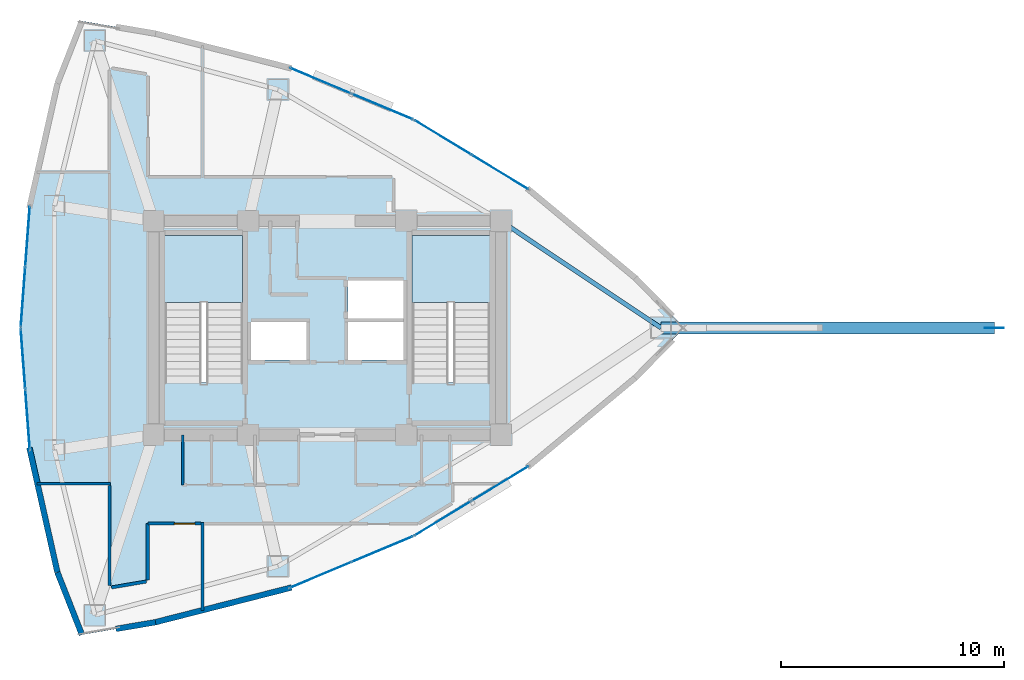
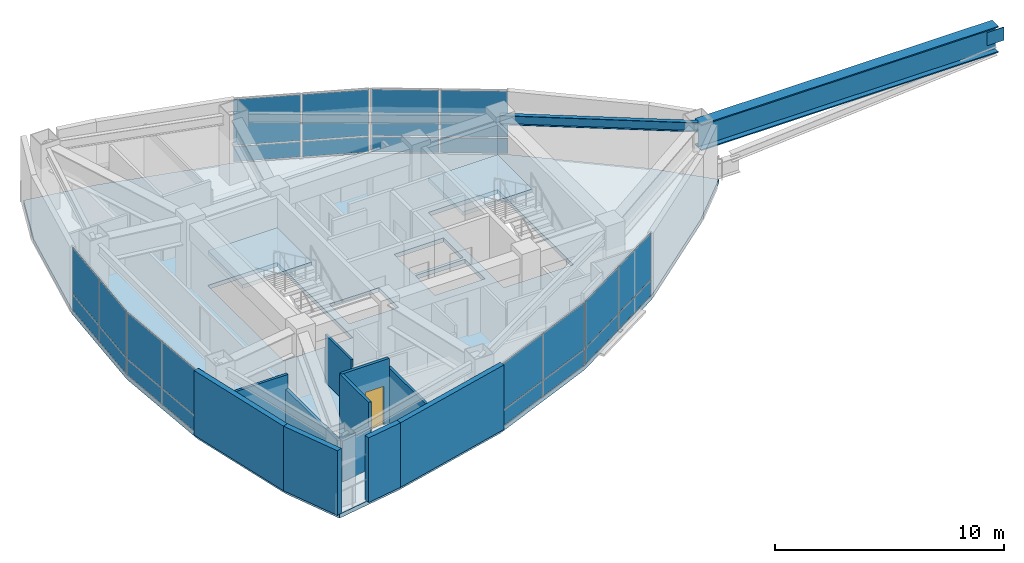
# One storey, part 11 of 15: 25 plates, 11 walls, 3 slabs, 2 beams, 1 door, 1 opening, 8 elements without a shape of their own.
"""IFC4 building model written with IfcOpenShell, lengths in metres."""

from ifc_helpers import new_model, si_unit, direction, frame, frame_2d, origin, origin_2d, place, context, subcontext, project, spatial, polyline, rectangle, i_section, outline, extrude, material, layer, layer_set, material_profile, profile_set, type_object, element, fill, aggregate, save


model = new_model("IFC4")

# Units and contexts
model_context = context("Model", 3, precision=1e-05, world=origin(), true_north=direction((0.0, 1.0)))
body_context = subcontext(model_context, "Body", "Model", "MODEL_VIEW")
ifc_project = project(units=[si_unit("LENGTHUNIT", "METRE"), si_unit("AREAUNIT", "SQUARE_METRE"), si_unit("VOLUMEUNIT", "CUBIC_METRE"), si_unit("PLANEANGLEUNIT", "RADIAN"), si_unit("MASSUNIT", "GRAM", prefix="KILO")], contexts=[model_context])

# Site, building, storey
site_placement = place(None, origin())
site = spatial("IfcSite", under=ifc_project, at=site_placement, CompositionType="ELEMENT")
building_placement = place(site_placement, origin())
building = spatial("IfcBuilding", under=site, at=building_placement, Name="Menara Vayukalpa", CompositionType="ELEMENT")
storey_placement = place(building_placement, frame((0.0, 0.0, 230.699951171875)))
storey = spatial("IfcBuildingStorey", under=building, at=storey_placement, Name="L58", CompositionType="ELEMENT", Elevation=230.699951171875)

# Beams
ifc_material_1 = material(Name="Steel S355", Category="steel")
ifc_material_profile_1 = material_profile(ifc_material_1, i_section(OverallWidth=0.199951171875, OverallDepth=0.5, WebThickness=0.010009765625, FlangeThickness=0.01611328125, at=origin_2d()), Name="WF 500x200x10x16")
ifc_profile_set_1 = profile_set([ifc_material_profile_1], Name="Steel S355")
beam_type_1 = type_object("IfcBeamType", Name="BM-SP3", PredefinedType="SPANDREL", material=ifc_profile_set_1)
beam_1_placement = place(storey_placement, frame((40.590576171875, 22.0, 3.18994140625), z_axis=(-0.831715622571, 0.555201876052, 0.0), x_axis=(-0.555201876052, -0.831715622571, 0.0)))
element("IfcBeam", 1, at=beam_1_placement, inside=storey, type_object=beam_type_1, Name="L58 Perimeter Spandrel Beam SP01", PredefinedType="SPANDREL", context=body_context, shape_type="SweptSolid", body=[
    extrude(i_section(OverallWidth=0.199951171875, OverallDepth=0.5, WebThickness=0.010009765625, FlangeThickness=0.01611328125, at=origin_2d()), origin(), (0.0, 0.0, 1.0), 8.6455078125),
])
ifc_material_2 = material(Name="Steel S460", Category="steel")
ifc_material_profile_2 = material_profile(ifc_material_2, i_section(OverallWidth=0.550048828125, OverallDepth=1.39990234375, WebThickness=0.031982421875, FlangeThickness=0.06005859375, at=origin_2d()), Name="WG 1400x550x32x60")
ifc_profile_set_2 = profile_set([ifc_material_profile_2], Name="Steel S460")
beam_type_2 = type_object("IfcBeamType", Name="BM-TG1E", PredefinedType="BEAM", material=ifc_profile_set_2)
beam_2_placement = place(storey_placement, frame((40.590576171875, 22.0, 2.739990234375), z_axis=(1.0, 0.0, 0.0), x_axis=(0.0, 1.0, 0.0)))
element("IfcBeam", 2, at=beam_2_placement, inside=storey, type_object=beam_type_2, Name="L58 SB5 Cantilever Support Transfer Girder 01", PredefinedType="BEAM", context=body_context, shape_type="SweptSolid", body=[
    extrude(i_section(OverallWidth=0.550048828125, OverallDepth=1.39990234375, WebThickness=0.031982421875, FlangeThickness=0.06005859375, at=origin_2d()), origin(), (0.0, 0.0, 1.0), 14.97412109375),
])

# Curtain wall, plates
ifc_material_3 = material(Name="Anodised Terracotta Aluminium Alloy 6063-T6", Category="masonry")
ifc_layer_1 = layer(ifc_material_3, 0.139892578125)
ifc_layer_set_1 = layer_set([ifc_layer_1], Name="Anodised Terracotta Aluminium Alloy 6063-T6")
curtain_wall_type = type_object("IfcCurtainWallType", Name="CW-CW5", PredefinedType="USERDEFINED", material=ifc_layer_set_1)
curtain_wall_1_placement = place(storey_placement, origin())
curtain_wall_1 = element("IfcCurtainWall", 3, at=curtain_wall_1_placement, inside=storey, type_object=curtain_wall_type, Name="L58 High Rise Tapered Curtain Wall CW5 04", ObjectType="UNITISED", PredefinedType="USERDEFINED")
ifc_material_4 = material(Name="Low-E Double Glazing", Category="glass")
ifc_layer_2 = layer(ifc_material_4, 0.028076171875)
ifc_layer_set_2 = layer_set([ifc_layer_2], Name="Low-E Double Glazing")
plate_type_1 = type_object("IfcPlateType", Name="CWP-CW5", PredefinedType="CURTAIN_PANEL", material=ifc_layer_set_2)
plate_1_placement = place(storey_placement, frame((33.358642578125, 28.994384765625, 0.06005859375), z_axis=(0.0, 0.0, 1.0), x_axis=(-0.854664974832, 0.519179911779, 0.0)))
plate_1 = element("IfcPlate", 4, at=plate_1_placement, type_object=plate_type_1, Name="CW5 panel 1.1", PredefinedType="CURTAIN_PANEL", context=body_context, shape_type="SweptSolid", body=[
    extrude(rectangle(XDim=2.9423828125, YDim=0.028076171875, at=origin_2d()), origin(), (0.0, 0.0, 1.0), 0.81005859375),
])
plate_2_placement = place(storey_placement, frame((33.358642578125, 28.994384765625, 0.93017578125), z_axis=(0.0, 0.0, 1.0), x_axis=(-0.854664974832, 0.519179911779, 0.0)))
plate_2 = element("IfcPlate", 5, at=plate_2_placement, type_object=plate_type_1, Name="CW5 panel 1.2", PredefinedType="CURTAIN_PANEL", context=body_context, shape_type="SweptSolid", body=[
    extrude(rectangle(XDim=2.9423828125, YDim=0.028076171875, at=origin_2d()), origin(), (0.0, 0.0, 1.0), 2.449951171875),
])
plate_3_placement = place(storey_placement, frame((30.79248046875, 30.55322265625, 0.06005859375), z_axis=(0.0, 0.0, 1.0), x_axis=(-0.854664974832, 0.519179911779, 0.0)))
plate_3 = element("IfcPlate", 6, at=plate_3_placement, type_object=plate_type_1, Name="CW5 panel 2.1", PredefinedType="CURTAIN_PANEL", context=body_context, shape_type="SweptSolid", body=[
    extrude(rectangle(XDim=2.9423828125, YDim=0.028076171875, at=origin_2d()), origin(), (0.0, 0.0, 1.0), 0.81005859375),
])
plate_4_placement = place(storey_placement, frame((30.79248046875, 30.55322265625, 0.93017578125), z_axis=(0.0, 0.0, 1.0), x_axis=(-0.854664974832, 0.519179911779, 0.0)))
plate_4 = element("IfcPlate", 7, at=plate_4_placement, type_object=plate_type_1, Name="CW5 panel 2.2", PredefinedType="CURTAIN_PANEL", context=body_context, shape_type="SweptSolid", body=[
    extrude(rectangle(XDim=2.9423828125, YDim=0.028076171875, at=origin_2d()), origin(), (0.0, 0.0, 1.0), 2.449951171875),
])
aggregate(curtain_wall_1, [plate_1, plate_2, plate_3, plate_4])

curtain_wall_2_placement = place(storey_placement, origin())
curtain_wall_2 = element("IfcCurtainWall", 8, at=curtain_wall_2_placement, inside=storey, type_object=curtain_wall_type, Name="L58 High Rise Tapered Curtain Wall CW5 05", ObjectType="UNITISED", PredefinedType="USERDEFINED")
plate_5_placement = place(storey_placement, frame((28.071044921875, 31.93896484375, 0.06005859375), z_axis=(0.0, 0.0, 1.0), x_axis=(-0.922539431351, 0.385902834406, 0.0)))
plate_5 = element("IfcPlate", 9, at=plate_5_placement, type_object=plate_type_1, Name="CW5 panel 1.1", PredefinedType="CURTAIN_PANEL", context=body_context, shape_type="SweptSolid", body=[
    extrude(rectangle(XDim=2.9423828125, YDim=0.028076171875, at=origin_2d()), origin(), (0.0, 0.0, 1.0), 0.81005859375),
])
plate_6_placement = place(storey_placement, frame((28.071044921875, 31.93896484375, 0.93017578125), z_axis=(0.0, 0.0, 1.0), x_axis=(-0.922539431351, 0.385902834406, 0.0)))
plate_6 = element("IfcPlate", 10, at=plate_6_placement, type_object=plate_type_1, Name="CW5 panel 1.2", PredefinedType="CURTAIN_PANEL", context=body_context, shape_type="SweptSolid", body=[
    extrude(rectangle(XDim=2.9423828125, YDim=0.028076171875, at=origin_2d()), origin(), (0.0, 0.0, 1.0), 2.449951171875),
])
plate_7_placement = place(storey_placement, frame((25.30126953125, 33.09765625, 0.06005859375), z_axis=(0.0, 0.0, 1.0), x_axis=(-0.922539431351, 0.385902834406, 0.0)))
plate_7 = element("IfcPlate", 11, at=plate_7_placement, type_object=plate_type_1, Name="CW5 panel 2.1", PredefinedType="CURTAIN_PANEL", context=body_context, shape_type="SweptSolid", body=[
    extrude(rectangle(XDim=2.9423828125, YDim=0.028076171875, at=origin_2d()), origin(), (0.0, 0.0, 1.0), 0.81005859375),
])
plate_8_placement = place(storey_placement, frame((25.30126953125, 33.09765625, 0.93017578125), z_axis=(0.0, 0.0, 1.0), x_axis=(-0.922539431351, 0.385902834406, 0.0)))
plate_8 = element("IfcPlate", 12, at=plate_8_placement, type_object=plate_type_1, Name="CW5 panel 2.2", PredefinedType="CURTAIN_PANEL", context=body_context, shape_type="SweptSolid", body=[
    extrude(rectangle(XDim=2.9423828125, YDim=0.028076171875, at=origin_2d()), origin(), (0.0, 0.0, 1.0), 2.449951171875),
])
aggregate(curtain_wall_2, [plate_5, plate_6, plate_7, plate_8])

curtain_wall_3_placement = place(storey_placement, origin())
curtain_wall_3 = element("IfcCurtainWall", 13, at=curtain_wall_3_placement, inside=storey, type_object=curtain_wall_type, Name="L58 High Rise Tapered Curtain Wall CW5 10", ObjectType="UNITISED", PredefinedType="USERDEFINED")
plate_9_placement = place(storey_placement, frame((12.139892578125, 26.10205078125, 0.06005859375), z_axis=(0.0, 0.0, 1.0), x_axis=(-0.074791754736, -0.9971991744, 0.0)))
plate_9 = element("IfcPlate", 14, at=plate_9_placement, type_object=plate_type_1, Name="CW5 panel 1.1", PredefinedType="CURTAIN_PANEL", context=body_context, shape_type="SweptSolid", body=[
    extrude(rectangle(XDim=2.662353515625, YDim=0.028076171875, at=origin_2d()), origin(), (0.0, 0.0, 1.0), 0.81005859375),
])
plate_10_placement = place(storey_placement, frame((12.139892578125, 26.10205078125, 0.93017578125), z_axis=(0.0, 0.0, 1.0), x_axis=(-0.074791754736, -0.9971991744, 0.0)))
plate_10 = element("IfcPlate", 15, at=plate_10_placement, type_object=plate_type_1, Name="CW5 panel 1.2", PredefinedType="CURTAIN_PANEL", context=body_context, shape_type="SweptSolid", body=[
    extrude(rectangle(XDim=2.662353515625, YDim=0.028076171875, at=origin_2d()), origin(), (0.0, 0.0, 1.0), 2.449951171875),
])
plate_11_placement = place(storey_placement, frame((11.936279296875, 23.38720703125, 0.06005859375), z_axis=(0.0, 0.0, 1.0), x_axis=(-0.074791754736, -0.9971991744, 0.0)))
plate_11 = element("IfcPlate", 16, at=plate_11_placement, type_object=plate_type_1, Name="CW5 panel 2.1", PredefinedType="CURTAIN_PANEL", context=body_context, shape_type="SweptSolid", body=[
    extrude(rectangle(XDim=2.662353515625, YDim=0.028076171875, at=origin_2d()), origin(), (0.0, 0.0, 1.0), 0.81005859375),
])
plate_12_placement = place(storey_placement, frame((11.936279296875, 23.38720703125, 0.93017578125), z_axis=(0.0, 0.0, 1.0), x_axis=(-0.074791754736, -0.9971991744, 0.0)))
plate_12 = element("IfcPlate", 17, at=plate_12_placement, type_object=plate_type_1, Name="CW5 panel 2.2", PredefinedType="CURTAIN_PANEL", context=body_context, shape_type="SweptSolid", body=[
    extrude(rectangle(XDim=2.662353515625, YDim=0.028076171875, at=origin_2d()), origin(), (0.0, 0.0, 1.0), 2.449951171875),
])
aggregate(curtain_wall_3, [plate_9, plate_10, plate_11, plate_12])

curtain_wall_4_placement = place(storey_placement, origin())
curtain_wall_4 = element("IfcCurtainWall", 18, at=curtain_wall_4_placement, inside=storey, type_object=curtain_wall_type, Name="L58 High Rise Tapered Curtain Wall CW5 11", ObjectType="UNITISED", PredefinedType="USERDEFINED")
plate_13_placement = place(storey_placement, frame((11.936279296875, 20.61279296875, 0.06005859375), z_axis=(0.0, 0.0, 1.0), x_axis=(0.074791754736, -0.9971991744, 0.0)))
plate_13 = element("IfcPlate", 19, at=plate_13_placement, type_object=plate_type_1, Name="CW5 panel 1.1", PredefinedType="CURTAIN_PANEL", context=body_context, shape_type="SweptSolid", body=[
    extrude(rectangle(XDim=2.662353515625, YDim=0.028076171875, at=origin_2d()), origin(), (0.0, 0.0, 1.0), 0.81005859375),
])
plate_14_placement = place(storey_placement, frame((11.936279296875, 20.61279296875, 0.93017578125), z_axis=(0.0, 0.0, 1.0), x_axis=(0.074791754736, -0.9971991744, 0.0)))
plate_14 = element("IfcPlate", 20, at=plate_14_placement, type_object=plate_type_1, Name="CW5 panel 1.2", PredefinedType="CURTAIN_PANEL", context=body_context, shape_type="SweptSolid", body=[
    extrude(rectangle(XDim=2.662353515625, YDim=0.028076171875, at=origin_2d()), origin(), (0.0, 0.0, 1.0), 2.449951171875),
])
plate_15_placement = place(storey_placement, frame((12.139892578125, 17.89794921875, 0.06005859375), z_axis=(0.0, 0.0, 1.0), x_axis=(0.074791754736, -0.9971991744, 0.0)))
plate_15 = element("IfcPlate", 21, at=plate_15_placement, type_object=plate_type_1, Name="CW5 panel 2.1", PredefinedType="CURTAIN_PANEL", context=body_context, shape_type="SweptSolid", body=[
    extrude(rectangle(XDim=2.662353515625, YDim=0.028076171875, at=origin_2d()), origin(), (0.0, 0.0, 1.0), 0.81005859375),
])
plate_16_placement = place(storey_placement, frame((12.139892578125, 17.89794921875, 0.93017578125), z_axis=(0.0, 0.0, 1.0), x_axis=(0.074791754736, -0.9971991744, 0.0)))
plate_16 = element("IfcPlate", 22, at=plate_16_placement, type_object=plate_type_1, Name="CW5 panel 2.2", PredefinedType="CURTAIN_PANEL", context=body_context, shape_type="SweptSolid", body=[
    extrude(rectangle(XDim=2.662353515625, YDim=0.028076171875, at=origin_2d()), origin(), (0.0, 0.0, 1.0), 2.449951171875),
])
aggregate(curtain_wall_4, [plate_13, plate_14, plate_15, plate_16])

curtain_wall_5_placement = place(storey_placement, origin())
curtain_wall_5 = element("IfcCurtainWall", 23, at=curtain_wall_5_placement, inside=storey, type_object=curtain_wall_type, Name="L58 High Rise Tapered Curtain Wall CW5 16", ObjectType="UNITISED", PredefinedType="USERDEFINED")
plate_17_placement = place(storey_placement, frame((25.30126953125, 10.90234375, 0.06005859375), z_axis=(0.0, 0.0, 1.0), x_axis=(0.922539431351, 0.385902834406, 0.0)))
plate_17 = element("IfcPlate", 24, at=plate_17_placement, type_object=plate_type_1, Name="CW5 panel 1.1", PredefinedType="CURTAIN_PANEL", context=body_context, shape_type="SweptSolid", body=[
    extrude(rectangle(XDim=2.9423828125, YDim=0.028076171875, at=origin_2d()), origin(), (0.0, 0.0, 1.0), 0.81005859375),
])
plate_18_placement = place(storey_placement, frame((25.30126953125, 10.90234375, 0.93017578125), z_axis=(0.0, 0.0, 1.0), x_axis=(0.922539431351, 0.385902834406, 0.0)))
plate_18 = element("IfcPlate", 25, at=plate_18_placement, type_object=plate_type_1, Name="CW5 panel 1.2", PredefinedType="CURTAIN_PANEL", context=body_context, shape_type="SweptSolid", body=[
    extrude(rectangle(XDim=2.9423828125, YDim=0.028076171875, at=origin_2d()), origin(), (0.0, 0.0, 1.0), 2.449951171875),
])
plate_19_placement = place(storey_placement, frame((28.071044921875, 12.06103515625, 0.06005859375), z_axis=(0.0, 0.0, 1.0), x_axis=(0.922539431351, 0.385902834406, 0.0)))
plate_19 = element("IfcPlate", 26, at=plate_19_placement, type_object=plate_type_1, Name="CW5 panel 2.1", PredefinedType="CURTAIN_PANEL", context=body_context, shape_type="SweptSolid", body=[
    extrude(rectangle(XDim=2.9423828125, YDim=0.028076171875, at=origin_2d()), origin(), (0.0, 0.0, 1.0), 0.81005859375),
])
plate_20_placement = place(storey_placement, frame((28.071044921875, 12.06103515625, 0.93017578125), z_axis=(0.0, 0.0, 1.0), x_axis=(0.922539431351, 0.385902834406, 0.0)))
plate_20 = element("IfcPlate", 27, at=plate_20_placement, type_object=plate_type_1, Name="CW5 panel 2.2", PredefinedType="CURTAIN_PANEL", context=body_context, shape_type="SweptSolid", body=[
    extrude(rectangle(XDim=2.9423828125, YDim=0.028076171875, at=origin_2d()), origin(), (0.0, 0.0, 1.0), 2.449951171875),
])
aggregate(curtain_wall_5, [plate_17, plate_18, plate_19, plate_20])

curtain_wall_6_placement = place(storey_placement, origin())
curtain_wall_6 = element("IfcCurtainWall", 28, at=curtain_wall_6_placement, inside=storey, type_object=curtain_wall_type, Name="L58 High Rise Tapered Curtain Wall CW5 17", ObjectType="UNITISED", PredefinedType="USERDEFINED")
plate_21_placement = place(storey_placement, frame((30.79248046875, 13.44677734375, 0.06005859375), z_axis=(0.0, 0.0, 1.0), x_axis=(0.854664974832, 0.519179911779, 0.0)))
plate_21 = element("IfcPlate", 29, at=plate_21_placement, type_object=plate_type_1, Name="CW5 panel 1.1", PredefinedType="CURTAIN_PANEL", context=body_context, shape_type="SweptSolid", body=[
    extrude(rectangle(XDim=2.9423828125, YDim=0.028076171875, at=origin_2d()), origin(), (0.0, 0.0, 1.0), 0.81005859375),
])
plate_22_placement = place(storey_placement, frame((30.79248046875, 13.44677734375, 0.93017578125), z_axis=(0.0, 0.0, 1.0), x_axis=(0.854664974832, 0.519179911779, 0.0)))
plate_22 = element("IfcPlate", 30, at=plate_22_placement, type_object=plate_type_1, Name="CW5 panel 1.2", PredefinedType="CURTAIN_PANEL", context=body_context, shape_type="SweptSolid", body=[
    extrude(rectangle(XDim=2.9423828125, YDim=0.028076171875, at=origin_2d()), origin(), (0.0, 0.0, 1.0), 2.449951171875),
])
plate_23_placement = place(storey_placement, frame((33.358642578125, 15.005615234375, 0.06005859375), z_axis=(0.0, 0.0, 1.0), x_axis=(0.854664974832, 0.519179911779, 0.0)))
plate_23 = element("IfcPlate", 31, at=plate_23_placement, type_object=plate_type_1, Name="CW5 panel 2.1", PredefinedType="CURTAIN_PANEL", context=body_context, shape_type="SweptSolid", body=[
    extrude(rectangle(XDim=2.9423828125, YDim=0.028076171875, at=origin_2d()), origin(), (0.0, 0.0, 1.0), 0.81005859375),
])
plate_24_placement = place(storey_placement, frame((33.358642578125, 15.005615234375, 0.93017578125), z_axis=(0.0, 0.0, 1.0), x_axis=(0.854664974832, 0.519179911779, 0.0)))
plate_24 = element("IfcPlate", 32, at=plate_24_placement, type_object=plate_type_1, Name="CW5 panel 2.2", PredefinedType="CURTAIN_PANEL", context=body_context, shape_type="SweptSolid", body=[
    extrude(rectangle(XDim=2.9423828125, YDim=0.028076171875, at=origin_2d()), origin(), (0.0, 0.0, 1.0), 2.449951171875),
])
aggregate(curtain_wall_6, [plate_21, plate_22, plate_23, plate_24])

# Plate
ifc_material_5 = material(Name="Steel S355", Category="steel")
ifc_layer_3 = layer(ifc_material_5, 0.031982421875)
ifc_layer_set_3 = layer_set([ifc_layer_3], Name="Steel S355")
plate_type_2 = type_object("IfcPlateType", Name="PLT-SBN1", PredefinedType="USERDEFINED", material=ifc_layer_set_3)
plate_25_placement = place(storey_placement, frame((55.564697265625, 22.0, 2.39013671875), z_axis=(0.0, 0.0, 1.0), x_axis=(1.0, 0.0, 0.0)))
element("IfcPlate", 33, at=plate_25_placement, inside=storey, type_object=plate_type_2, Name="L58 SB5 Support Node Gusset Plate 01", ObjectType="GUSSET_PLATE", PredefinedType="USERDEFINED", context=body_context, shape_type="SweptSolid", body=[
    extrude(rectangle(XDim=0.860107421875, YDim=0.031982421875, at=origin_2d()), origin(), (0.0, 0.0, 1.0), 0.699951171875),
])

# Slab
ifc_material_6 = material(Name="Concrete C40/50", Category="concrete")
ifc_layer_4 = layer(ifc_material_6, 0.219970703125)
ifc_layer_set_4 = layer_set([ifc_layer_4], Name="Concrete C40/50")
slab_type_1 = type_object("IfcSlabType", Name="SLB-FL220", PredefinedType="FLOOR", material=ifc_layer_set_4)
slab_1_placement = place(storey_placement, frame((0.0, 0.0, -0.219970703125)))
element("IfcSlab", 34, at=slab_1_placement, inside=storey, type_object=slab_type_1, Name="L58 Structural Floor Slab", PredefinedType="FLOOR", context=body_context, shape_type="SweptSolid", body=[
    extrude(outline(polyline([(39.439208984375, 19.7578125), (41.640380859375, 22.0), (39.439208984375, 24.2421875), (34.667236328125, 28.19921875), (29.48388671875, 31.34814453125), (23.888671875, 33.688720703125), (17.881591796875, 35.220703125), (14.579833984375, 35.781005859375), (13.47900390625, 32.978515625), (12.243896484375, 27.4892578125), (11.832275390625, 22.0), (12.243896484375, 16.5107421875), (13.47900390625, 11.021484375), (14.579833984375, 8.218994140625), (17.881591796875, 8.779296875), (23.888671875, 10.311279296875), (29.48388671875, 12.65185546875), (34.667236328125, 15.80078125), (39.439208984375, 19.7578125)]), holes=[polyline([(21.800048828125, 19.550048828125), (21.800048828125, 26.14990234375), (18.300048828125, 26.14990234375), (18.300048828125, 19.550048828125), (21.800048828125, 19.550048828125)]), polyline([(32.89990234375, 19.550048828125), (32.89990234375, 26.14990234375), (29.39990234375, 26.14990234375), (29.39990234375, 19.550048828125), (32.89990234375, 19.550048828125)]), polyline([(22.179931640625, 20.550048828125), (24.679931640625, 20.550048828125), (24.679931640625, 22.27001953125), (22.179931640625, 22.27001953125), (22.179931640625, 20.550048828125)]), polyline([(26.52001953125, 20.550048828125), (29.02001953125, 20.550048828125), (29.02001953125, 22.27001953125), (26.52001953125, 22.27001953125), (26.52001953125, 20.550048828125)]), polyline([(26.52001953125, 22.419921875), (29.02001953125, 22.419921875), (29.02001953125, 24.139892578125), (26.52001953125, 24.139892578125), (26.52001953125, 22.419921875)])]), origin(), (0.0, 0.0, 1.0), 0.219970703125),
])

# Stair, slab
ifc_material_7 = material(Name="Precast Concrete C40/50", Category="concrete")
stair_type = type_object("IfcStairType", Name="STR-T04", PredefinedType="DOUBLE_RETURN_STAIR", material=ifc_material_7)
stair_1_placement = place(storey_placement, origin())
stair_1 = element("IfcStair", 35, at=stair_1_placement, inside=storey, type_object=stair_type, Name="L58 Core Exit Stair ST-1", PredefinedType="DOUBLE_RETURN_STAIR")
ifc_material_8 = material(Name="Precast Concrete C40/50", Category="concrete")
ifc_layer_5 = layer(ifc_material_8, 0.199951171875)
ifc_layer_set_5 = layer_set([ifc_layer_5], Name="Precast Concrete C40/50")
slab_type_2 = type_object("IfcSlabType", Name="SLB-LND200", PredefinedType="LANDING", material=ifc_layer_set_5)
slab_2_placement = place(storey_placement, frame((0.0, 0.0, 1.66015625)))
slab_2 = element("IfcSlab", 36, at=slab_2_placement, type_object=slab_type_2, Name="ST-1 landing 1", PredefinedType="LANDING", context=body_context, shape_type="SweptSolid", body=[
    extrude(outline(polyline([(21.800048828125, 23.1298828125), (21.800048828125, 26.14990234375), (18.300048828125, 26.14990234375), (18.300048828125, 23.1298828125), (21.800048828125, 23.1298828125)])), origin(), (0.0, 0.0, 1.0), 0.199951171875),
])
aggregate(stair_1, [slab_2])

stair_2_placement = place(storey_placement, origin())
stair_2 = element("IfcStair", 37, at=stair_2_placement, inside=storey, type_object=stair_type, Name="L58 Core Exit Stair ST-2", PredefinedType="DOUBLE_RETURN_STAIR")
slab_3_placement = place(storey_placement, frame((0.0, 0.0, 1.66015625)))
slab_3 = element("IfcSlab", 38, at=slab_3_placement, type_object=slab_type_2, Name="ST-2 landing 1", PredefinedType="LANDING", context=body_context, shape_type="SweptSolid", body=[
    extrude(outline(polyline([(32.89990234375, 23.1298828125), (32.89990234375, 26.14990234375), (29.39990234375, 26.14990234375), (29.39990234375, 23.1298828125), (32.89990234375, 23.1298828125)])), origin(), (0.0, 0.0, 1.0), 0.199951171875),
])
aggregate(stair_2, [slab_3])

# Walls
ifc_material_9 = material(Name="Insulated Precast Concrete C40/50", Category="concrete")
ifc_layer_6 = layer(ifc_material_9, 0.260009765625)
ifc_layer_set_6 = layer_set([ifc_layer_6], Name="Insulated Precast Concrete C40/50")
wall_type_1 = type_object("IfcWallType", Name="WAL-EXT260", PredefinedType="PARTITIONING", material=ifc_layer_set_6)
wall_1_placement = place(storey_placement, frame((13.47900390625, 11.021484375, 0.0), z_axis=(0.0, 0.0, 1.0), x_axis=(-0.219475737697, 0.975617958303, 0.0)))
element("IfcWall", 39, at=wall_1_placement, inside=storey, type_object=wall_type_1, Name="L58 Perimeter Terracotta Pier Wall 12", PredefinedType="PARTITIONING", context=body_context, shape_type="SweptSolid", body=[
    extrude(rectangle(XDim=5.736572265625, YDim=0.260009765625, at=frame_2d((2.8681640625, 0.0))), origin(), (0.0, 0.0, 1.0), 3.43994140625),
])
wall_2_placement = place(storey_placement, frame((14.579833984375, 8.218994140625, 0.0), z_axis=(0.0, 0.0, 1.0), x_axis=(-0.365609724313, 0.930768246927, 0.0)))
element("IfcWall", 40, at=wall_2_placement, inside=storey, type_object=wall_type_1, Name="L58 Perimeter Terracotta Pier Wall 13", PredefinedType="PARTITIONING", context=body_context, shape_type="SweptSolid", body=[
    extrude(rectangle(XDim=3.010986328125, YDim=0.260009765625, at=frame_2d((1.50537109375, 0.0))), origin(), (0.0, 0.0, 1.0), 3.43994140625),
])
wall_3_placement = place(storey_placement, frame((17.8876953125, 8.780517578125, 0.0), z_axis=(0.0, 0.0, 1.0), x_axis=(-0.985877723898, -0.167466753484, 0.0)))
element("IfcWall", 41, at=wall_3_placement, inside=storey, type_object=wall_type_1, Name="L58 Perimeter Terracotta Pier Wall 14", PredefinedType="PARTITIONING", context=body_context, shape_type="SweptSolid", body=[
    extrude(rectangle(XDim=1.80615234375, YDim=0.260009765625, at=frame_2d((0.903076171875, 0.0))), origin(), (0.0, 0.0, 1.0), 3.43994140625),
])
wall_4_placement = place(storey_placement, frame((23.9951171875, 10.338623046875, 0.0), z_axis=(0.0, 0.0, 1.0), x_axis=(-0.968976240439, -0.247153890246, 0.0)))
element("IfcWall", 42, at=wall_4_placement, inside=storey, type_object=wall_type_1, Name="L58 Perimeter Terracotta Pier Wall 15", PredefinedType="PARTITIONING", context=body_context, shape_type="SweptSolid", body=[
    extrude(rectangle(XDim=6.31494140625, YDim=0.260009765625, at=frame_2d((3.157470703125, 0.0))), origin(), (0.0, 0.0, 1.0), 3.43994140625),
])
ifc_material_10 = material(Name="Acoustic Mineral Stud Partition", Category="masonry")
ifc_layer_7 = layer(ifc_material_10, 0.110107421875)
ifc_layer_set_7 = layer_set([ifc_layer_7], Name="Acoustic Mineral Stud Partition")
wall_type_2 = type_object("IfcWallType", Name="WAL-PT110", PredefinedType="PARTITIONING", material=ifc_layer_set_7)
wall_5_placement = place(storey_placement, frame((19.10009765625, 14.949951171875, 0.0), z_axis=(0.0, 0.0, 1.0), x_axis=(0.0, 1.0, 0.0)))
element("IfcWall", 43, at=wall_5_placement, inside=storey, type_object=wall_type_2, Name="L58 Interior Partition IW-L58-SVCD-01", PredefinedType="PARTITIONING", context=body_context, shape_type="SweptSolid", body=[
    extrude(rectangle(XDim=2.25, YDim=0.110107421875, at=frame_2d((1.125, 0.0))), origin(), (0.0, 0.0, 1.0), 2.570068359375),
])
ifc_material_11 = material(Name="Gypsum Drywall Steel Stud Assembly", Category="steel")
ifc_layer_8 = layer(ifc_material_11, 0.125)
ifc_layer_set_8 = layer_set([ifc_layer_8], Name="Gypsum Drywall Steel Stud Assembly")
wall_type_3 = type_object("IfcWallType", Name="WAL-PT125", PredefinedType="PARTITIONING", material=ifc_layer_set_8)
wall_6_placement = place(storey_placement, frame((20.0, 9.309326171875, 0.0), z_axis=(0.0, 0.0, 1.0), x_axis=(0.0, 1.0, 0.0)))
element("IfcWall", 44, at=wall_6_placement, inside=storey, type_object=wall_type_3, Name="L58 Interior Partition IW-L58-RDIV01", PredefinedType="PARTITIONING", context=body_context, shape_type="SweptSolid", body=[
    extrude(rectangle(XDim=3.95068359375, YDim=0.125, at=frame_2d((1.975341796875, 0.0))), origin(), (0.0, 0.0, 1.0), 2.920166015625),
])
wall_7_placement = place(storey_placement, frame((12.57373046875, 15.0, 0.0), z_axis=(0.0, 0.0, 1.0), x_axis=(1.0, 0.0, 0.0)))
element("IfcWall", 45, at=wall_7_placement, inside=storey, type_object=wall_type_3, Name="L58 Interior Partition IW-L58-RDIV03", PredefinedType="PARTITIONING", context=body_context, shape_type="SweptSolid", body=[
    extrude(rectangle(XDim=3.29638671875, YDim=0.125, at=frame_2d((1.648193359375, 0.0))), origin(), (0.0, 0.0, 1.0), 2.920166015625),
])
ifc_material_12 = material(Name="Gypsum Drywall Acoustic Stud Assembly", Category="masonry")
ifc_layer_9 = layer(ifc_material_12, 0.14501953125)
ifc_layer_set_9 = layer_set([ifc_layer_9], Name="Gypsum Drywall Acoustic Stud Assembly")
wall_type_4 = type_object("IfcWallType", Name="WAL-PT150", PredefinedType="PARTITIONING", material=ifc_layer_set_9)
wall_8_placement = place(storey_placement, frame((15.820068359375, 14.929931640625, 0.0), z_axis=(0.0, 0.0, 1.0), x_axis=(0.0, -1.0, 0.0)))
element("IfcWall", 46, at=wall_8_placement, inside=storey, type_object=wall_type_4, Name="L58 Interior Partition IW-L58-CRM02-1", PredefinedType="PARTITIONING", context=body_context, shape_type="SweptSolid", body=[
    extrude(rectangle(XDim=4.509033203125, YDim=0.14501953125, at=frame_2d((2.25439453125, 0.0))), origin(), (0.0, 0.0, 1.0), 2.170166015625),
])
wall_9_placement = place(storey_placement, frame((15.913330078125, 10.342041015625, 0.0), z_axis=(0.0, 0.0, 1.0), x_axis=(0.985914419316, 0.167250583809, 0.0)))
element("IfcWall", 47, at=wall_9_placement, inside=storey, type_object=wall_type_4, Name="L58 Interior Partition IW-L58-CRM02-2", PredefinedType="PARTITIONING", context=body_context, shape_type="SweptSolid", body=[
    extrude(rectangle(XDim=1.582275390625, YDim=0.14501953125, at=frame_2d((0.791015625, 0.0))), origin(), (0.0, 0.0, 1.0), 2.170166015625),
])
wall_10_placement = place(storey_placement, frame((17.5400390625, 10.685791015625, 0.0), z_axis=(0.0, 0.0, 1.0), x_axis=(0.0, 1.0, 0.0)))
element("IfcWall", 48, at=wall_10_placement, inside=storey, type_object=wall_type_4, Name="L58 Interior Partition IW-L58-CRM02-3", PredefinedType="PARTITIONING", context=body_context, shape_type="SweptSolid", body=[
    extrude(rectangle(XDim=2.524169921875, YDim=0.14501953125, at=frame_2d((1.26220703125, 0.0))), origin(), (0.0, 0.0, 1.0), 3.43994140625),
])

# Wall, opening, door
wall_11_placement = place(storey_placement, frame((17.5400390625, 13.2099609375, 0.0), z_axis=(0.0, 0.0, 1.0), x_axis=(1.0, 0.0, 0.0)))
wall_11 = element("IfcWall", 49, at=wall_11_placement, inside=storey, type_object=wall_type_4, Name="L58 Interior Partition IW-L58-CRM02-4", PredefinedType="PARTITIONING", context=body_context, shape_type="SweptSolid", body=[
    extrude(rectangle(XDim=2.389892578125, YDim=0.14501953125, at=frame_2d((1.19482421875, 0.0))), origin(), (0.0, 0.0, 1.0), 3.43994140625),
])
opening_placement = place(wall_11_placement, frame((1.18994140625, 0.0, 0.0)))
opening = element("IfcOpeningElement", 50, at=opening_placement, cuts=wall_11, Name="Opening ID6", PredefinedType="OPENING", context=body_context, shape_type="SweptSolid", body=[
    extrude(rectangle(XDim=0.919921875, YDim=2.050048828125, at=frame_2d((0.4599609375, 1.02490234375))), frame((0.0, 0.08251953125, 0.0), z_axis=(0.0, -1.0, 0.0), x_axis=(1.0, 0.0, 0.0)), (0.0, 0.0, 1.0), 0.1650390625),
])
ifc_material_13 = material(Name="Acoustic Hardwood Veneer Timber Door", Category="wood")
door_type = type_object("IfcDoorType", Name="DR-INT92", OperationType="NOTDEFINED", PredefinedType="DOOR", material=ifc_material_13)
door_placement = place(opening_placement, origin())
door = element("IfcDoor", 51, at=door_placement, inside=storey, type_object=door_type, Name="L58 Interior Door DR-L58-RM02", OperationType="SINGLE_SWING_RIGHT", OverallHeight=2.050048828125, OverallWidth=0.919921875, PredefinedType="DOOR", context=body_context, shape_type="SweptSolid", body=[
    extrude(rectangle(XDim=0.919921875, YDim=2.050048828125, at=frame_2d((0.4599609375, 1.02490234375))), frame((0.0, 0.02490234375, 0.0), z_axis=(0.0, -1.0, 0.0), x_axis=(1.0, 0.0, 0.0)), (0.0, 0.0, 1.0), 0.050048828125),
])
fill(opening, door)

save(model, "model.ifc")
